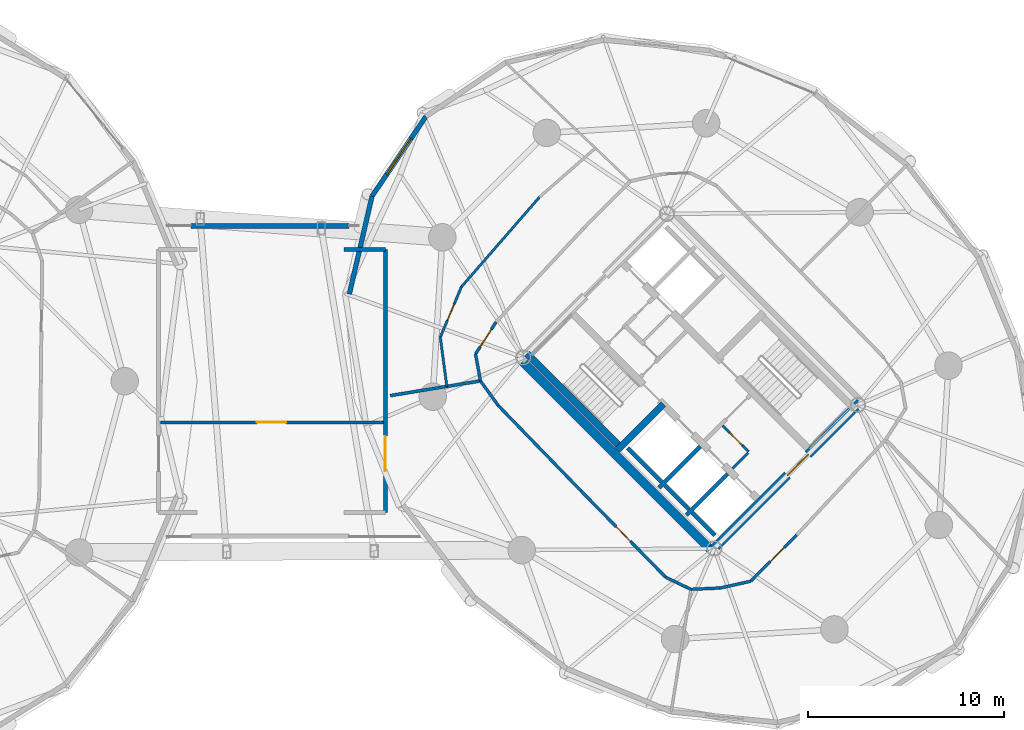
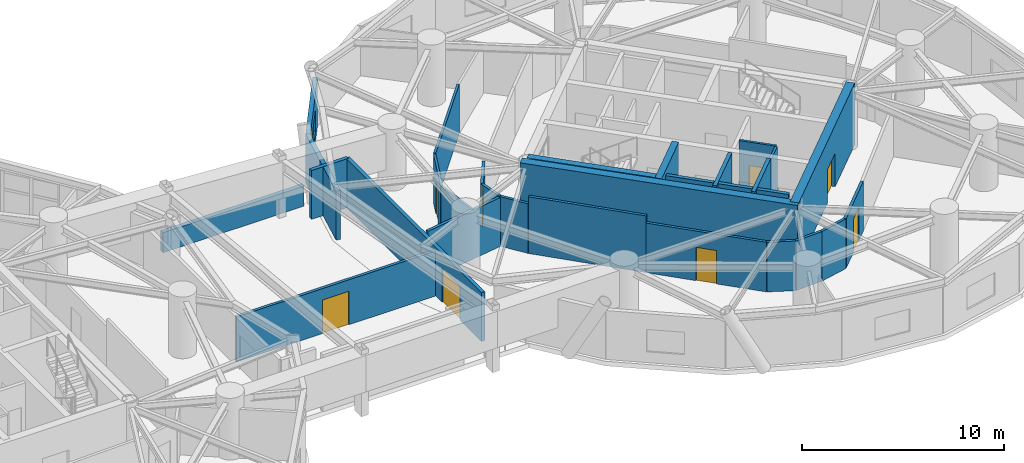
# One storey, part 12 of 17: 30 walls, 8 doors, 1 window, 9 openings.
"""IFC4 building model written with IfcOpenShell, lengths in metres."""

from ifc_helpers import new_model, si_unit, direction, frame, frame_2d, origin, place, context, subcontext, project, spatial, rectangle, extrude, source, transform, mapped, material, layer, layer_set, type_object, element, fill, save


model = new_model("IFC4")

# Units and contexts
model_context = context("Model", 3, precision=1e-05, world=origin(), true_north=direction((0.0, 1.0)))
body_context = subcontext(model_context, "Body", "Model", "MODEL_VIEW")
ifc_project = project(units=[si_unit("LENGTHUNIT", "METRE"), si_unit("AREAUNIT", "SQUARE_METRE"), si_unit("VOLUMEUNIT", "CUBIC_METRE"), si_unit("PLANEANGLEUNIT", "RADIAN"), si_unit("MASSUNIT", "GRAM", prefix="KILO")], contexts=[model_context])

# Site, building, storey
site_placement = place(None, origin())
site = spatial("IfcSite", under=ifc_project, at=site_placement, CompositionType="ELEMENT")
building_placement = place(site_placement, origin())
building = spatial("IfcBuilding", under=site, at=building_placement, Name="Cununo Teusaquillo Station Towers", CompositionType="ELEMENT")
storey_placement = place(building_placement, frame((0.0, 0.0, 125.43994140625)))
storey = spatial("IfcBuildingStorey", under=building, at=storey_placement, Name="L40", CompositionType="ELEMENT", Elevation=125.43994140625)

# Walls
ifc_material_1 = material(Name="Concrete C50/60", Category="concrete")
ifc_layer_1 = layer(ifc_material_1, 0.199951171875)
ifc_layer_set_1 = layer_set([ifc_layer_1], Name="Concrete C50/60")
wall_type_1 = type_object("IfcWallType", Name="WL-CORE-200", PredefinedType="SHEAR", material=ifc_layer_set_1)
wall_1_placement = place(storey_placement, frame((55.8876953125, 19.0693359375, 0.0), z_axis=(0.0, 0.0, 1.0), x_axis=(0.707106781187, 0.707106781187, 0.0)))
element("IfcWall", 1, at=wall_1_placement, inside=storey, type_object=wall_type_1, Name="L40 Tower B Firefighting Lift Shaft South Shear Wall", PredefinedType="SHEAR", context=body_context, shape_type="SweptSolid", body=[
    extrude(rectangle(XDim=2.969970703125, YDim=0.199951171875, at=frame_2d((1.48486328125, 0.0))), origin(), (0.0, 0.0, 1.0), 3.719970703125),
])
wall_2_placement = place(storey_placement, frame((56.01513671875, 19.366455078125, 0.0), z_axis=(0.0, 0.0, 1.0), x_axis=(-0.707106781187, 0.707106781187, 0.0)))
element("IfcWall", 2, at=wall_2_placement, inside=storey, type_object=wall_type_1, Name="L40 Tower B Firefighting Lift Shaft Rear Shear Wall", PredefinedType="SHEAR", context=body_context, shape_type="SweptSolid", body=[
    extrude(rectangle(XDim=2.43994140625, YDim=0.199951171875, at=frame_2d((1.219970703125, 0.0))), origin(), (0.0, 0.0, 1.0), 3.719970703125),
])
wall_3_placement = place(storey_placement, frame((57.2841796875, 17.6728515625, 0.0), z_axis=(0.0, 0.0, 1.0), x_axis=(0.707147878904, 0.70706568108, 0.0)))
element("IfcWall", 3, at=wall_3_placement, inside=storey, type_object=wall_type_1, Name="L40 Tower B High-Rise Lift Hoistway Divider Shear Wall", PredefinedType="SHEAR", context=body_context, shape_type="SweptSolid", body=[
    extrude(rectangle(XDim=2.97021484375, YDim=0.199951171875, at=frame_2d((1.485107421875, 0.0))), origin(), (0.0, 0.0, 1.0), 3.719970703125),
])
wall_4_placement = place(storey_placement, frame((57.41162109375, 17.969970703125, 0.0), z_axis=(0.0, 0.0, 1.0), x_axis=(-0.707106781187, 0.707106781187, 0.0)))
element("IfcWall", 4, at=wall_4_placement, inside=storey, type_object=wall_type_1, Name="L40 Tower B High-Rise Lift 2 Shaft Rear Shear Wall", PredefinedType="SHEAR", context=body_context, shape_type="SweptSolid", body=[
    extrude(rectangle(XDim=1.73486328125, YDim=0.199951171875, at=frame_2d((0.867431640625, 0.0))), origin(), (0.0, 0.0, 1.0), 3.719970703125),
])
wall_5_placement = place(storey_placement, frame((58.7373046875, 16.64404296875, 0.0), z_axis=(0.0, 0.0, 1.0), x_axis=(-0.707032117043, 0.707181437447, 0.0)))
element("IfcWall", 5, at=wall_5_placement, inside=storey, type_object=wall_type_1, Name="L40 Tower B High-Rise Lift 1 Shaft Rear Shear Wall", PredefinedType="SHEAR", context=body_context, shape_type="SweptSolid", body=[
    extrude(rectangle(XDim=1.635009765625, YDim=0.199951171875, at=frame_2d((0.8173828125, 0.0))), origin(), (0.0, 0.0, 1.0), 3.719970703125),
])
ifc_material_2 = material(Name="Concrete C50/60", Category="concrete")
ifc_layer_2 = layer(ifc_material_2, 0.35009765625)
ifc_layer_set_2 = layer_set([ifc_layer_2], Name="Concrete C50/60")
wall_type_2 = type_object("IfcWallType", Name="WL-CORE-350", PredefinedType="SHEAR", material=ifc_layer_set_2)
wall_6_placement = place(storey_placement, frame((53.922119140625, 21.14111328125, 0.0), z_axis=(0.0, 0.0, 1.0), x_axis=(-0.707088616009, 0.707124945897, 0.0)))
element("IfcWall", 6, at=wall_6_placement, inside=storey, type_object=wall_type_2, Name="L40 Tower B Core Shear Wall ST1W", PredefinedType="SHEAR", context=body_context, shape_type="SweptSolid", body=[
    extrude(rectangle(XDim=6.72021484375, YDim=0.35009765625, at=frame_2d((3.360107421875, 0.0))), origin(), (0.0, 0.0, 1.0), 3.719970703125),
])
wall_7_placement = place(storey_placement, frame((53.7841796875, 21.00341796875, 0.0), z_axis=(0.0, 0.0, 1.0), x_axis=(0.707106781187, 0.707106781187, 0.0)))
element("IfcWall", 7, at=wall_7_placement, inside=storey, type_object=wall_type_2, Name="L40 Tower B Core Shear Wall ST1S", PredefinedType="SHEAR", context=body_context, shape_type="SweptSolid", body=[
    extrude(rectangle(XDim=3.284912109375, YDim=0.35009765625, at=frame_2d((1.642578125, 0.0))), origin(), (0.0, 0.0, 1.0), 3.719970703125),
])
ifc_material_3 = material(Name="Concrete C60/75", Category="concrete")
ifc_layer_3 = layer(ifc_material_3, 0.449951171875)
ifc_layer_set_3 = layer_set([ifc_layer_3], Name="Concrete C60/75")
wall_type_3 = type_object("IfcWallType", Name="WL-CORE-450", PredefinedType="SHEAR", material=ifc_layer_set_3)
wall_8_placement = place(storey_placement, frame((58.7373046875, 15.696533203125, 0.0), z_axis=(0.0, 0.0, 1.0), x_axis=(-0.707106781187, 0.707106781187, 0.0)))
element("IfcWall", 8, at=wall_8_placement, inside=storey, type_object=wall_type_3, Name="L40 Tower B Core Shear Wall W", PredefinedType="SHEAR", context=body_context, shape_type="SweptSolid", body=[
    extrude(rectangle(XDim=14.19970703125, YDim=0.449951171875, at=frame_2d((7.099853515625, 0.0))), origin(), (0.0, 0.0, 1.0), 3.719970703125),
])

# Wall, opening, door
wall_9_placement = place(storey_placement, frame((58.578369140625, 15.855712890625, 0.0), z_axis=(0.0, 0.0, 1.0), x_axis=(0.707106781187, 0.707106781187, 0.0)))
wall_9 = element("IfcWall", 9, at=wall_9_placement, inside=storey, type_object=wall_type_3, Name="L40 Tower B Core Shear Wall S", PredefinedType="SHEAR", context=body_context, shape_type="SweptSolid", body=[
    extrude(rectangle(XDim=10.69970703125, YDim=0.449951171875, at=frame_2d((5.349853515625, 0.0))), origin(), (0.0, 0.0, 1.0), 3.719970703125),
])
shared_shape_1 = source(origin(), body_context, "Body", "SweptSolid", [
    extrude(rectangle(XDim=1.5, YDim=2.02001953125, at=frame_2d((0.75, 1.010009765625))), frame((0.0, 0.23486328125, 0.0), z_axis=(0.0, -1.0, 0.0), x_axis=(1.0, 0.0, 0.0)), (0.0, 0.0, 1.0), 0.469970703125),
])
opening_1_placement = place(wall_9_placement, frame((5.449951171875, 0.0, 0.0)))
opening_1 = element("IfcOpeningElement", 10, at=opening_1_placement, cuts=wall_9, Name="Opening D-LB1", PredefinedType="OPENING", context=body_context, shape_type="MappedRepresentation", body=[
    mapped(shared_shape_1, transform((0.0, 0.0, 0.0), x_axis=(1.0, 0.0, 0.0), y_axis=(0.0, 1.0, 0.0), z_axis=(0.0, 0.0, 1.0), scale=1.0)),
])
ifc_material_4 = material(Name="Galvanised fire-rated hollow steel door assembly", Category="steel")
door_type_1 = type_object("IfcDoorType", Name="DR-LOBBY-1500", OperationType="DOUBLE_DOOR_SINGLE_SWING", PredefinedType="DOOR", material=ifc_material_4)
shared_shape_2 = source(origin(), body_context, "Body", "SweptSolid", [
    extrude(rectangle(XDim=1.5, YDim=2.02001953125, at=frame_2d((0.75, 1.010009765625))), frame((0.0, 0.02490234375, 0.0), z_axis=(0.0, -1.0, 0.0), x_axis=(1.0, 0.0, 0.0)), (0.0, 0.0, 1.0), 0.050048828125),
])
door_1_placement = place(opening_1_placement, origin())
door_1 = element("IfcDoor", 11, at=door_1_placement, inside=storey, type_object=door_type_1, Name="L40 Tower B South Core Lift Lobby Door", OperationType="DOUBLE_DOOR_SINGLE_SWING", OverallHeight=2.02001953125, OverallWidth=1.5, PredefinedType="DOOR", context=body_context, shape_type="MappedRepresentation", body=[
    mapped(shared_shape_2, transform((0.0, 0.0, 0.0), x_axis=(1.0, 0.0, 0.0), y_axis=(0.0, 1.0, 0.0), z_axis=(0.0, 0.0, 1.0), scale=1.0)),
])
fill(opening_1, door_1)

# Wall, opening, window
ifc_material_5 = material(Name="Precast concrete C40/50", Category="concrete")
ifc_layer_4 = layer(ifc_material_5, 0.239990234375)
ifc_layer_set_4 = layer_set([ifc_layer_4], Name="Precast concrete C40/50")
wall_type_4 = type_object("IfcWallType", Name="WL-EXT-240", PredefinedType="SOLIDWALL", material=ifc_layer_set_4)
wall_10_placement = place(storey_placement, frame((41.27099609375, 33.919921875, 0.0), z_axis=(0.0, 0.0, 1.0), x_axis=(0.559572880421, 0.828781148131, 0.0)))
wall_10 = element("IfcWall", 12, at=wall_10_placement, inside=storey, type_object=wall_type_4, Name="L40 Tower B Exterior Facade Wall C05", PredefinedType="SOLIDWALL", context=body_context, shape_type="SweptSolid", body=[
    extrude(rectangle(XDim=4.904541015625, YDim=0.239990234375, at=frame_2d((2.4521484375, 0.0))), origin(), (0.0, 0.0, 1.0), 2.948974609375),
])
shared_shape_3 = source(origin(), body_context, "Body", "SweptSolid", [
    extrude(rectangle(XDim=2.199951171875, YDim=1.35009765625, at=frame_2d((1.10009765625, 0.675048828125))), frame((0.0, 0.1298828125, 0.0), z_axis=(0.0, -1.0, 0.0), x_axis=(1.0, 0.0, 0.0)), (0.0, 0.0, 1.0), 0.260009765625),
])
opening_2_placement = place(wall_10_placement, frame((1.35205078125, 0.0, 0.64990234375)))
opening_2 = element("IfcOpeningElement", 13, at=opening_2_placement, cuts=wall_10, Name="Opening WN-01", PredefinedType="OPENING", context=body_context, shape_type="MappedRepresentation", body=[
    mapped(shared_shape_3, transform((0.0, 0.0, 0.0), x_axis=(1.0, 0.0, 0.0), y_axis=(0.0, 1.0, 0.0), z_axis=(0.0, 0.0, 1.0), scale=1.0)),
])
ifc_material_6 = material(Name="Ceramic-fritted dark low-E double glazing", Category="glass")
window_type = type_object("IfcWindowType", Name="WIN-FRIT-2200", PartitioningType="DOUBLE_PANEL_VERTICAL", PredefinedType="WINDOW", material=ifc_material_6)
shared_shape_4 = source(origin(), body_context, "Body", "SweptSolid", [
    extrude(rectangle(XDim=2.199951171875, YDim=1.35009765625, at=frame_2d((1.10009765625, 0.675048828125))), frame((0.0, 0.030029296875, 0.0), z_axis=(0.0, -1.0, 0.0), x_axis=(1.0, 0.0, 0.0)), (0.0, 0.0, 1.0), 0.06005859375),
])
window_placement = place(opening_2_placement, origin())
window = element("IfcWindow", 14, at=window_placement, inside=storey, type_object=window_type, Name="L40 Tower B Facade Window C05", OverallHeight=1.35009765625, OverallWidth=2.199951171875, PartitioningType="DOUBLE_PANEL_VERTICAL", PredefinedType="WINDOW", context=body_context, shape_type="MappedRepresentation", body=[
    mapped(shared_shape_4, transform((0.0, 0.0, 0.0), x_axis=(1.0, 0.0, 0.0), y_axis=(0.0, 1.0, 0.0), z_axis=(0.0, 0.0, 1.0), scale=1.0)),
])
fill(opening_2, window)

# Walls
wall_11_placement = place(storey_placement, frame((40.114990234375, 28.933349609375, 0.0), z_axis=(0.0, 0.0, 1.0), x_axis=(0.225834725257, 0.974165631126, 0.0)))
element("IfcWall", 15, at=wall_11_placement, inside=storey, type_object=wall_type_4, Name="L40 Tower B Exterior Facade Wall C06", PredefinedType="SOLIDWALL", context=body_context, shape_type="SweptSolid", body=[
    extrude(rectangle(XDim=5.118896484375, YDim=0.239990234375, at=frame_2d((2.5595703125, 0.0))), origin(), (0.0, 0.0, 1.0), 2.948974609375),
])
wall_12_placement = place(storey_placement, frame((32.050048828125, 32.39990234375, 0.0), z_axis=(0.0, 0.0, 1.0), x_axis=(1.0, 0.0, 0.0)))
element("IfcWall", 16, at=wall_12_placement, inside=storey, type_object=wall_type_4, Name="L40 Mid-Bridge N Spandrel Facade Wall", PredefinedType="SOLIDWALL", context=body_context, shape_type="SweptSolid", body=[
    extrude(rectangle(XDim=8.050048828125, YDim=0.239990234375, at=frame_2d((4.02490234375, 0.0))), origin(), (0.0, 0.0, 1.0), 1.212158203125),
])

# Wall, opening, door
ifc_material_7 = material(Name="Fire-rated gypsum plasterboard partition assembly", Category="gypsum")
ifc_layer_5 = layer(ifc_material_7, 0.125)
ifc_layer_set_5 = layer_set([ifc_layer_5], Name="Fire-rated gypsum plasterboard partition assembly")
wall_type_5 = type_object("IfcWallType", Name="WL-PART-125", PredefinedType="PARTITIONING", material=ifc_layer_set_5)
wall_13_placement = place(storey_placement, frame((60.448486328125, 20.9150390625, 0.0), z_axis=(0.0, 0.0, 1.0), x_axis=(-0.707106781187, 0.707106781187, 0.0)))
wall_13 = element("IfcWall", 17, at=wall_13_placement, inside=storey, type_object=wall_type_5, Name="L40 Tower B North-West Lobby Store East Wall", PredefinedType="PARTITIONING", context=body_context, shape_type="SweptSolid", body=[
    extrude(rectangle(XDim=1.869873046875, YDim=0.125, at=frame_2d((0.93505859375, 0.0))), origin(), (0.0, 0.0, 1.0), 3.425048828125),
])
shared_shape_5 = source(origin(), body_context, "Body", "SweptSolid", [
    extrude(rectangle(XDim=0.89990234375, YDim=2.0048828125, at=frame_2d((0.449951171875, 1.00244140625))), frame((0.0, 0.072509765625, 0.0), z_axis=(0.0, -1.0, 0.0), x_axis=(1.0, 0.0, 0.0)), (0.0, 0.0, 1.0), 0.14501953125),
])
opening_3_placement = place(wall_13_placement, frame((0.449951171875, 0.0, 0.0)))
opening_3 = element("IfcOpeningElement", 18, at=opening_3_placement, cuts=wall_13, Name="Opening D-SR1", PredefinedType="OPENING", context=body_context, shape_type="MappedRepresentation", body=[
    mapped(shared_shape_5, transform((0.0, 0.0, 0.0), x_axis=(1.0, 0.0, 0.0), y_axis=(0.0, 1.0, 0.0), z_axis=(0.0, 0.0, 1.0), scale=1.0)),
])
ifc_material_8 = material(Name="Galvanised fire-rated hollow steel door assembly", Category="steel")
door_type_2 = type_object("IfcDoorType", Name="DR-STORE-900", OperationType="NOTDEFINED", PredefinedType="DOOR", material=ifc_material_8)
shared_shape_6 = source(origin(), body_context, "Body", "SweptSolid", [
    extrude(rectangle(XDim=0.89990234375, YDim=2.0048828125, at=frame_2d((0.449951171875, 1.00244140625))), frame((0.0, 0.02490234375, 0.0), z_axis=(0.0, -1.0, 0.0), x_axis=(1.0, 0.0, 0.0)), (0.0, 0.0, 1.0), 0.050048828125),
])
door_2_placement = place(opening_3_placement, origin())
door_2 = element("IfcDoor", 19, at=door_2_placement, inside=storey, type_object=door_type_2, Name="L40 Tower B South Lobby Data Store Door", OperationType="SINGLE_SWING_RIGHT", OverallHeight=2.0048828125, OverallWidth=0.89990234375, PredefinedType="DOOR", context=body_context, shape_type="MappedRepresentation", body=[
    mapped(shared_shape_6, transform((0.0, 0.0, 0.0), x_axis=(1.0, 0.0, 0.0), y_axis=(0.0, 1.0, 0.0), z_axis=(0.0, 0.0, 1.0), scale=1.0)),
])
fill(opening_3, door_2)

# Walls
wall_14_placement = place(storey_placement, frame((59.642578125, 20.06640625, 0.0), z_axis=(0.0, 0.0, 1.0), x_axis=(0.707106781187, 0.707106781187, 0.0)))
element("IfcWall", 20, at=wall_14_placement, inside=storey, type_object=wall_type_5, Name="L40 Tower B North-West Lobby Store South Wall", PredefinedType="PARTITIONING", context=body_context, shape_type="SweptSolid", body=[
    extrude(rectangle(XDim=1.10009765625, YDim=0.125, at=frame_2d((0.550048828125, 0.0))), origin(), (0.0, 0.0, 1.0), 3.425048828125),
])
wall_15_placement = place(storey_placement, frame((49.799560546875, 33.873291015625, 0.0), z_axis=(0.0, 0.0, 1.0), x_axis=(-0.656224613926, -0.754565607537, 0.0)))
element("IfcWall", 21, at=wall_15_placement, inside=storey, type_object=wall_type_5, Name="L40 Tower B Sky-Concourse Exhibition Salon Concentric Partition Wall C05", PredefinedType="PARTITIONING", context=body_context, shape_type="SweptSolid", body=[
    extrude(rectangle(XDim=6.0576171875, YDim=0.125, at=frame_2d((3.02880859375, 0.0))), origin(), (0.0, 0.0, 1.0), 2.9951171875),
])

# Wall, opening, door
wall_16_placement = place(storey_placement, frame((45.824462890625, 29.302490234375, 0.0), z_axis=(0.0, 0.0, 1.0), x_axis=(-0.38649564145, -0.922291233364, 0.0)))
wall_16 = element("IfcWall", 22, at=wall_16_placement, inside=storey, type_object=wall_type_5, Name="L40 Tower B Sky-Concourse Exhibition Salon Concentric Partition Wall C06", PredefinedType="PARTITIONING", context=body_context, shape_type="SweptSolid", body=[
    extrude(rectangle(XDim=2.783203125, YDim=0.125, at=frame_2d((1.3916015625, 0.0))), origin(), (0.0, 0.0, 1.0), 2.948974609375),
])
opening_4_placement = place(wall_16_placement, frame((0.941650390625, 0.0, 0.0)))
opening_4 = element("IfcOpeningElement", 23, at=opening_4_placement, cuts=wall_16, Name="Opening D-IN1", PredefinedType="OPENING", context=body_context, shape_type="MappedRepresentation", body=[
    mapped(shared_shape_5, transform((0.0, 0.0, 0.0), x_axis=(1.0, 0.0, 0.0), y_axis=(0.0, 1.0, 0.0), z_axis=(0.0, 0.0, 1.0), scale=1.0)),
])
ifc_material_9 = material(Name="Acoustic solid-core hardwood leaf assembly", Category="wood")
door_type_3 = type_object("IfcDoorType", Name="DR-INT-900", OperationType="NOTDEFINED", PredefinedType="DOOR", material=ifc_material_9)
door_3_placement = place(opening_4_placement, origin())
door_3 = element("IfcDoor", 24, at=door_3_placement, inside=storey, type_object=door_type_3, Name="L40 Tower B Sky-Concourse Exhibition Salon Connecting Door", OperationType="SINGLE_SWING_RIGHT", OverallHeight=2.0048828125, OverallWidth=0.89990234375, PredefinedType="DOOR", context=body_context, shape_type="MappedRepresentation", body=[
    mapped(shared_shape_6, transform((0.0, 0.0, 0.0), x_axis=(1.0, 0.0, 0.0), y_axis=(0.0, 1.0, 0.0), z_axis=(0.0, 0.0, 1.0), scale=1.0)),
])
fill(opening_4, door_3)

# Wall
wall_17_placement = place(storey_placement, frame((44.748779296875, 26.735595703125, 0.0), z_axis=(0.0, 0.0, 1.0), x_axis=(0.132518524874, -0.991180528746, 0.0)))
element("IfcWall", 25, at=wall_17_placement, inside=storey, type_object=wall_type_5, Name="L40 Tower B Sky-Concourse Exhibition Salon Concentric Partition Wall C07", PredefinedType="PARTITIONING", context=body_context, shape_type="SweptSolid", body=[
    extrude(rectangle(XDim=2.52392578125, YDim=0.125, at=frame_2d((1.261962890625, 0.0))), origin(), (0.0, 0.0, 1.0), 2.948974609375),
])

# Wall, opening, door
ifc_material_10 = material(Name="Fire-rated gypsum plasterboard partition assembly", Category="gypsum")
ifc_layer_6 = layer(ifc_material_10, 0.14990234375)
ifc_layer_set_6 = layer_set([ifc_layer_6], Name="Fire-rated gypsum plasterboard partition assembly")
wall_type_6 = type_object("IfcWallType", Name="WL-PART-150", PredefinedType="PARTITIONING", material=ifc_layer_set_6)
wall_18_placement = place(storey_placement, frame((47.58837890625, 27.51025390625, 0.0), z_axis=(0.0, 0.0, 1.0), x_axis=(-0.540202619347, -0.841534984449, 0.0)))
wall_18 = element("IfcWall", 26, at=wall_18_placement, inside=storey, type_object=wall_type_6, Name="L40 Tower B Corridor Ring Wall C06", PredefinedType="PARTITIONING", context=body_context, shape_type="SweptSolid", body=[
    extrude(rectangle(XDim=1.934814453125, YDim=0.14990234375, at=frame_2d((0.96728515625, 0.0))), origin(), (0.0, 0.0, 1.0), 2.9951171875),
])
shared_shape_7 = source(origin(), body_context, "Body", "SweptSolid", [
    extrude(rectangle(XDim=1.050048828125, YDim=2.014892578125, at=frame_2d((0.52490234375, 1.00732421875))), frame((0.0, 0.0849609375, 0.0), z_axis=(0.0, -1.0, 0.0), x_axis=(1.0, 0.0, 0.0)), (0.0, 0.0, 1.0), 0.169921875),
])
opening_5_placement = place(wall_18_placement, frame((0.4423828125, 0.0, 0.0)))
opening_5 = element("IfcOpeningElement", 27, at=opening_5_placement, cuts=wall_18, Name="Opening D-SU1", PredefinedType="OPENING", context=body_context, shape_type="MappedRepresentation", body=[
    mapped(shared_shape_7, transform((0.0, 0.0, 0.0), x_axis=(1.0, 0.0, 0.0), y_axis=(0.0, 1.0, 0.0), z_axis=(0.0, 0.0, 1.0), scale=1.0)),
])
ifc_material_11 = material(Name="Acoustic solid-core hardwood leaf assembly", Category="wood")
door_type_4 = type_object("IfcDoorType", Name="DR-SUITE-1050", OperationType="NOTDEFINED", PredefinedType="DOOR", material=ifc_material_11)
shared_shape_8 = source(origin(), body_context, "Body", "SweptSolid", [
    extrude(rectangle(XDim=1.050048828125, YDim=2.014892578125, at=frame_2d((0.52490234375, 1.00732421875))), frame((0.0, 0.02490234375, 0.0), z_axis=(0.0, -1.0, 0.0), x_axis=(1.0, 0.0, 0.0)), (0.0, 0.0, 1.0), 0.050048828125),
])
door_4_placement = place(opening_5_placement, origin())
door_4 = element("IfcDoor", 28, at=door_4_placement, inside=storey, type_object=door_type_4, Name="L40 Tower B Sky-Concourse Exhibition Salon Entrance Door", OperationType="SINGLE_SWING_LEFT", OverallHeight=2.014892578125, OverallWidth=1.050048828125, PredefinedType="DOOR", context=body_context, shape_type="MappedRepresentation", body=[
    mapped(shared_shape_8, transform((0.0, 0.0, 0.0), x_axis=(1.0, 0.0, 0.0), y_axis=(0.0, 1.0, 0.0), z_axis=(0.0, 0.0, 1.0), scale=1.0)),
])
fill(opening_5, door_4)

# Walls
wall_19_placement = place(storey_placement, frame((46.543212890625, 25.882080078125, 0.0), z_axis=(0.0, 0.0, 1.0), x_axis=(0.181153502579, -0.983454832976, 0.0)))
element("IfcWall", 29, at=wall_19_placement, inside=storey, type_object=wall_type_6, Name="L40 Tower B Corridor Ring Wall C07", PredefinedType="PARTITIONING", context=body_context, shape_type="SweptSolid", body=[
    extrude(rectangle(XDim=1.39208984375, YDim=0.14990234375, at=frame_2d((0.696044921875, 0.0))), origin(), (0.0, 0.0, 1.0), 2.9951171875),
])
wall_20_placement = place(storey_placement, frame((46.79541015625, 24.512939453125, 0.0), z_axis=(0.0, 0.0, 1.0), x_axis=(0.585628197524, -0.810579801294, 0.0)))
element("IfcWall", 30, at=wall_20_placement, inside=storey, type_object=wall_type_6, Name="L40 Tower B Corridor Ring Wall C08", PredefinedType="PARTITIONING", context=body_context, shape_type="SweptSolid", body=[
    extrude(rectangle(XDim=1.55419921875, YDim=0.14990234375, at=frame_2d((0.777099609375, 0.0))), origin(), (0.0, 0.0, 1.0), 2.9951171875),
])
wall_21_placement = place(storey_placement, frame((47.70556640625, 23.253173828125, 0.0), z_axis=(0.0, 0.0, 1.0), x_axis=(0.696179266346, -0.717867974707, 0.0)))
element("IfcWall", 31, at=wall_21_placement, inside=storey, type_object=wall_type_6, Name="L40 Tower B Corridor Ring Wall C09", PredefinedType="PARTITIONING", context=body_context, shape_type="SweptSolid", body=[
    extrude(rectangle(XDim=6.044677734375, YDim=0.14990234375, at=frame_2d((3.0224609375, 0.0))), origin(), (0.0, 0.0, 1.0), 3.425048828125),
])

# Wall, opening, door
wall_22_placement = place(storey_placement, frame((51.913818359375, 18.913818359375, 0.0), z_axis=(0.0, 0.0, 1.0), x_axis=(0.699999313799, -0.714143515465, 0.0)))
wall_22 = element("IfcWall", 32, at=wall_22_placement, inside=storey, type_object=wall_type_6, Name="L40 Tower B Corridor Ring Wall C10", PredefinedType="PARTITIONING", context=body_context, shape_type="SweptSolid", body=[
    extrude(rectangle(XDim=6.162109375, YDim=0.14990234375, at=frame_2d((3.0810546875, 0.0))), origin(), (0.0, 0.0, 1.0), 2.9951171875),
])
opening_6_placement = place(wall_22_placement, frame((2.55615234375, 0.0, 0.0)))
opening_6 = element("IfcOpeningElement", 33, at=opening_6_placement, cuts=wall_22, Name="Opening D-SU1", PredefinedType="OPENING", context=body_context, shape_type="MappedRepresentation", body=[
    mapped(shared_shape_7, transform((0.0, 0.0, 0.0), x_axis=(1.0, 0.0, 0.0), y_axis=(0.0, 1.0, 0.0), z_axis=(0.0, 0.0, 1.0), scale=1.0)),
])
door_5_placement = place(opening_6_placement, origin())
door_5 = element("IfcDoor", 34, at=door_5_placement, inside=storey, type_object=door_type_4, Name="L40 Tower B VIP Delegation Briefing Salon Entrance Door", OperationType="SINGLE_SWING_LEFT", OverallHeight=2.014892578125, OverallWidth=1.050048828125, PredefinedType="DOOR", context=body_context, shape_type="MappedRepresentation", body=[
    mapped(shared_shape_8, transform((0.0, 0.0, 0.0), x_axis=(1.0, 0.0, 0.0), y_axis=(0.0, 1.0, 0.0), z_axis=(0.0, 0.0, 1.0), scale=1.0)),
])
fill(opening_6, door_5)

# Walls
wall_23_placement = place(storey_placement, frame((56.227294921875, 14.51318359375, 0.0), z_axis=(0.0, 0.0, 1.0), x_axis=(0.901477579283, -0.432825801044, 0.0)))
element("IfcWall", 35, at=wall_23_placement, inside=storey, type_object=wall_type_6, Name="L40 Tower B Corridor Ring Wall C11", PredefinedType="PARTITIONING", context=body_context, shape_type="SweptSolid", body=[
    extrude(rectangle(XDim=1.42431640625, YDim=0.14990234375, at=frame_2d((0.712158203125, 0.0))), origin(), (0.0, 0.0, 1.0), 2.9951171875),
])
wall_24_placement = place(storey_placement, frame((57.51123046875, 13.896728515625, 0.0), z_axis=(0.0, 0.0, 1.0), x_axis=(0.999024538494, 0.044158481476, 0.0)))
element("IfcWall", 36, at=wall_24_placement, inside=storey, type_object=wall_type_6, Name="L40 Tower B Corridor Ring Wall C12", PredefinedType="PARTITIONING", context=body_context, shape_type="SweptSolid", body=[
    extrude(rectangle(XDim=1.498291015625, YDim=0.14990234375, at=frame_2d((0.7490234375, 0.0))), origin(), (0.0, 0.0, 1.0), 2.9951171875),
])
wall_25_placement = place(storey_placement, frame((59.008056640625, 13.962890625, 0.0), z_axis=(0.0, 0.0, 1.0), x_axis=(0.976020856791, 0.21767702476, 0.0)))
element("IfcWall", 37, at=wall_25_placement, inside=storey, type_object=wall_type_6, Name="L40 Tower B Corridor Ring Wall C13", PredefinedType="PARTITIONING", context=body_context, shape_type="SweptSolid", body=[
    extrude(rectangle(XDim=1.592529296875, YDim=0.14990234375, at=frame_2d((0.79638671875, 0.0))), origin(), (0.0, 0.0, 1.0), 2.9951171875),
])

# Wall, opening, door
wall_26_placement = place(storey_placement, frame((60.5625, 14.3095703125, 0.0), z_axis=(0.0, 0.0, 1.0), x_axis=(0.704566236161, 0.709638230975, 0.0)))
wall_26 = element("IfcWall", 38, at=wall_26_placement, inside=storey, type_object=wall_type_6, Name="L40 Tower B Corridor Ring Wall C14", PredefinedType="PARTITIONING", context=body_context, shape_type="SweptSolid", body=[
    extrude(rectangle(XDim=3.3212890625, YDim=0.14990234375, at=frame_2d((1.66064453125, 0.0))), origin(), (0.0, 0.0, 1.0), 2.9951171875),
])
shared_shape_9 = source(origin(), body_context, "Body", "SweptSolid", [
    extrude(rectangle(XDim=1.0, YDim=2.014892578125, at=frame_2d((0.5, 1.00732421875))), frame((0.0, 0.0849609375, 0.0), z_axis=(0.0, -1.0, 0.0), x_axis=(1.0, 0.0, 0.0)), (0.0, 0.0, 1.0), 0.169921875),
])
opening_7_placement = place(wall_26_placement, frame((1.4208984375, 0.0, 0.0)))
opening_7 = element("IfcOpeningElement", 39, at=opening_7_placement, cuts=wall_26, Name="Opening D-AC1", PredefinedType="OPENING", context=body_context, shape_type="MappedRepresentation", body=[
    mapped(shared_shape_9, transform((0.0, 0.0, 0.0), x_axis=(1.0, 0.0, 0.0), y_axis=(0.0, 1.0, 0.0), z_axis=(0.0, 0.0, 1.0), scale=1.0)),
])
ifc_material_12 = material(Name="Acoustic solid-core hardwood leaf assembly", Category="wood")
door_type_5 = type_object("IfcDoorType", Name="DR-ACC-1000", OperationType="NOTDEFINED", PredefinedType="DOOR", material=ifc_material_12)
shared_shape_10 = source(origin(), body_context, "Body", "SweptSolid", [
    extrude(rectangle(XDim=1.0, YDim=2.014892578125, at=frame_2d((0.5, 1.00732421875))), frame((0.0, 0.02490234375, 0.0), z_axis=(0.0, -1.0, 0.0), x_axis=(1.0, 0.0, 0.0)), (0.0, 0.0, 1.0), 0.050048828125),
])
door_6_placement = place(opening_7_placement, origin())
door_6 = element("IfcDoor", 40, at=door_6_placement, inside=storey, type_object=door_type_5, Name="L40 Tower B Public Accessible Restroom WC Entrance Door", OperationType="SINGLE_SWING_RIGHT", OverallHeight=2.014892578125, OverallWidth=1.0, PredefinedType="DOOR", context=body_context, shape_type="MappedRepresentation", body=[
    mapped(shared_shape_10, transform((0.0, 0.0, 0.0), x_axis=(1.0, 0.0, 0.0), y_axis=(0.0, 1.0, 0.0), z_axis=(0.0, 0.0, 1.0), scale=1.0)),
])
fill(opening_7, door_6)

ifc_material_13 = material(Name="Fire-rated gypsum plasterboard partition assembly", Category="gypsum")
ifc_layer_7 = layer(ifc_material_13, 0.159912109375)
ifc_layer_set_7 = layer_set([ifc_layer_7], Name="Fire-rated gypsum plasterboard partition assembly")
wall_type_7 = type_object("IfcWallType", Name="WL-PART-160", PredefinedType="PARTITIONING", material=ifc_layer_set_7)
wall_27_placement = place(storey_placement, frame((30.5, 22.39990234375, 0.0), z_axis=(0.0, 0.0, 1.0), x_axis=(1.0, 0.0, 0.0)))
wall_27 = element("IfcWall", 41, at=wall_27_placement, inside=storey, type_object=wall_type_7, Name="L40 Mid-Bridge Gallery Lounge Partition", PredefinedType="PARTITIONING", context=body_context, shape_type="SweptSolid", body=[
    extrude(rectangle(XDim=11.35009765625, YDim=0.159912109375, at=frame_2d((5.675048828125, 0.0))), origin(), (0.0, 0.0, 1.0), 2.712158203125),
])
shared_shape_11 = source(origin(), body_context, "Body", "SweptSolid", [
    extrude(rectangle(XDim=1.5, YDim=2.02001953125, at=frame_2d((0.75, 1.010009765625))), frame((0.0, 0.08984375, 0.0), z_axis=(0.0, -1.0, 0.0), x_axis=(1.0, 0.0, 0.0)), (0.0, 0.0, 1.0), 0.179931640625),
])
opening_8_placement = place(wall_27_placement, frame((4.89990234375, 0.0, 0.0)))
opening_8 = element("IfcOpeningElement", 42, at=opening_8_placement, cuts=wall_27, Name="Opening D-LB1", PredefinedType="OPENING", context=body_context, shape_type="MappedRepresentation", body=[
    mapped(shared_shape_11, transform((0.0, 0.0, 0.0), x_axis=(1.0, 0.0, 0.0), y_axis=(0.0, 1.0, 0.0), z_axis=(0.0, 0.0, 1.0), scale=1.0)),
])
door_7_placement = place(opening_8_placement, origin())
door_7 = element("IfcDoor", 43, at=door_7_placement, inside=storey, type_object=door_type_1, Name="L40 Mid-Bridge Salon Door", OperationType="DOUBLE_DOOR_SINGLE_SWING", OverallHeight=2.02001953125, OverallWidth=1.5, PredefinedType="DOOR", context=body_context, shape_type="MappedRepresentation", body=[
    mapped(shared_shape_2, transform((0.0, 0.0, 0.0), x_axis=(1.0, 0.0, 0.0), y_axis=(0.0, 1.0, 0.0), z_axis=(0.0, 0.0, 1.0), scale=1.0)),
])
fill(opening_8, door_7)

# Wall
wall_28_placement = place(storey_placement, frame((46.79541015625, 24.512939453125, 0.0), z_axis=(0.0, 0.0, 1.0), x_axis=(-0.986967402925, -0.160920308111, 0.0)))
element("IfcWall", 44, at=wall_28_placement, inside=storey, type_object=wall_type_7, Name="L40 Tower B Radial Suite Partition R03", PredefinedType="PARTITIONING", context=body_context, shape_type="SweptSolid", body=[
    extrude(rectangle(XDim=4.65625, YDim=0.159912109375, at=frame_2d((2.328125, 0.0))), origin(), (0.0, 0.0, 1.0), 2.948974609375),
])

# Wall, opening, door
ifc_material_14 = material(Name="Fire-rated gypsum plasterboard partition assembly", Category="gypsum")
ifc_layer_8 = layer(ifc_material_14, 0.199951171875)
ifc_layer_set_8 = layer_set([ifc_layer_8], Name="Fire-rated gypsum plasterboard partition assembly")
wall_type_8 = type_object("IfcWallType", Name="WL-PART-200", PredefinedType="PARTITIONING", material=ifc_layer_set_8)
wall_29_placement = place(storey_placement, frame((41.949951171875, 17.800048828125, 0.0), z_axis=(0.0, 0.0, 1.0), x_axis=(0.0, 1.0, 0.0)))
wall_29 = element("IfcWall", 45, at=wall_29_placement, inside=storey, type_object=wall_type_8, Name="L40 Mid-Bridge T2 Fire Portal Wall", PredefinedType="PARTITIONING", context=body_context, shape_type="SweptSolid", body=[
    extrude(rectangle(XDim=13.39990234375, YDim=0.199951171875, at=frame_2d((6.699951171875, 0.0))), origin(), (0.0, 0.0, 1.0), 2.948974609375),
])
shared_shape_12 = source(origin(), body_context, "Body", "SweptSolid", [
    extrude(rectangle(XDim=1.800048828125, YDim=2.050048828125, at=frame_2d((0.89990234375, 1.02490234375))), frame((0.0, 0.10986328125, 0.0), z_axis=(0.0, -1.0, 0.0), x_axis=(1.0, 0.0, 0.0)), (0.0, 0.0, 1.0), 0.219970703125),
])
opening_9_placement = place(wall_29_placement, frame((2.10009765625, 0.0, 0.0)))
opening_9 = element("IfcOpeningElement", 46, at=opening_9_placement, cuts=wall_29, Name="Opening D-BG1", PredefinedType="OPENING", context=body_context, shape_type="MappedRepresentation", body=[
    mapped(shared_shape_12, transform((0.0, 0.0, 0.0), x_axis=(1.0, 0.0, 0.0), y_axis=(0.0, 1.0, 0.0), z_axis=(0.0, 0.0, 1.0), scale=1.0)),
])
ifc_material_15 = material(Name="Galvanised fire-rated hollow steel door assembly", Category="steel")
door_type_6 = type_object("IfcDoorType", Name="DR-BRIDGE-1800", OperationType="DOUBLE_DOOR_SINGLE_SWING", PredefinedType="DOOR", material=ifc_material_15)
shared_shape_13 = source(origin(), body_context, "Body", "SweptSolid", [
    extrude(rectangle(XDim=1.800048828125, YDim=2.050048828125, at=frame_2d((0.89990234375, 1.02490234375))), frame((0.0, 0.02490234375, 0.0), z_axis=(0.0, -1.0, 0.0), x_axis=(1.0, 0.0, 0.0)), (0.0, 0.0, 1.0), 0.050048828125),
])
door_8_placement = place(opening_9_placement, origin())
door_8 = element("IfcDoor", 47, at=door_8_placement, inside=storey, type_object=door_type_6, Name="L40 Mid-Bridge T2 Portal Fire Door", OperationType="DOUBLE_DOOR_SINGLE_SWING", OverallHeight=2.050048828125, OverallWidth=1.800048828125, PredefinedType="DOOR", context=body_context, shape_type="MappedRepresentation", body=[
    mapped(shared_shape_13, transform((0.0, 0.0, 0.0), x_axis=(1.0, 0.0, 0.0), y_axis=(0.0, 1.0, 0.0), z_axis=(0.0, 0.0, 1.0), scale=1.0)),
])
fill(opening_9, door_8)

# Wall
wall_30_placement = place(storey_placement, frame((39.85009765625, 31.199951171875, 0.0), z_axis=(0.0, 0.0, 1.0), x_axis=(1.0, 0.0, 0.0)))
element("IfcWall", 48, at=wall_30_placement, inside=storey, type_object=wall_type_8, Name="L40 Mid-Bridge Portal Return Wall EN", PredefinedType="PARTITIONING", context=body_context, shape_type="SweptSolid", body=[
    extrude(rectangle(XDim=2.099853515625, YDim=0.199951171875, at=frame_2d((1.0498046875, 0.0))), origin(), (0.0, 0.0, 1.0), 2.948974609375),
])

save(model, "model.ifc")
